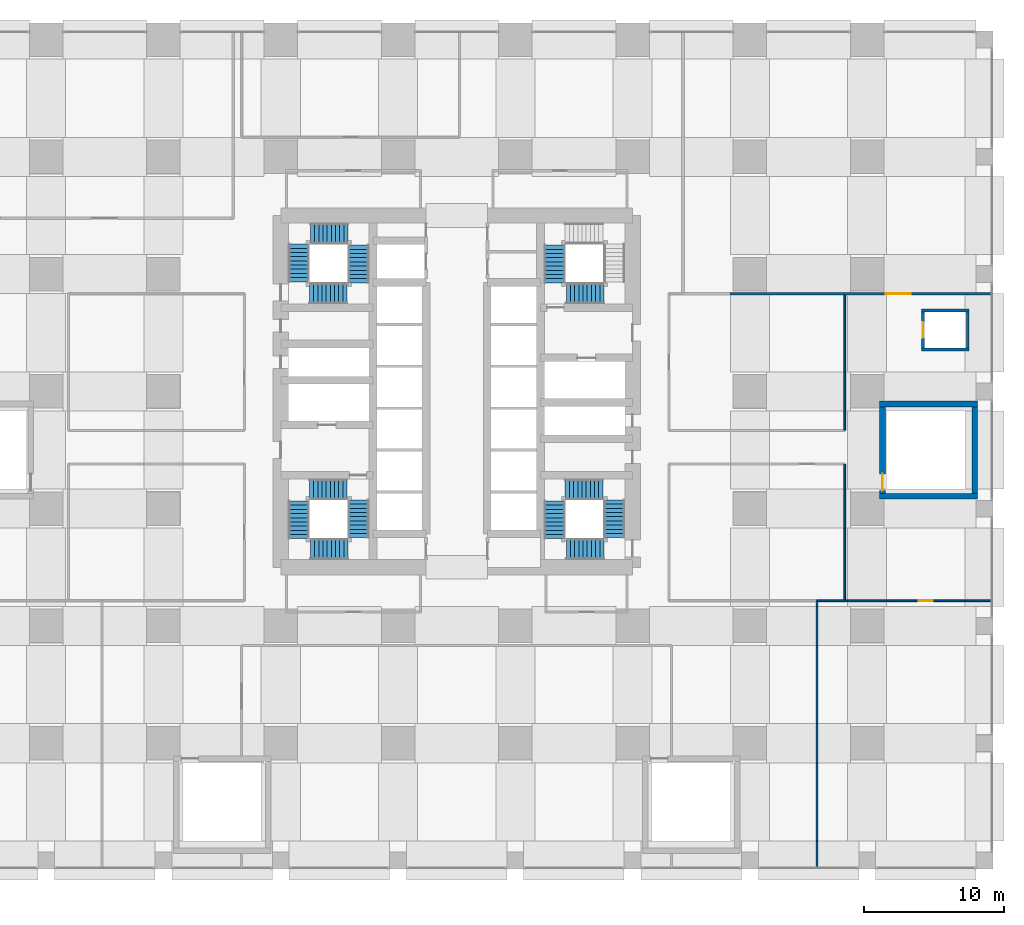
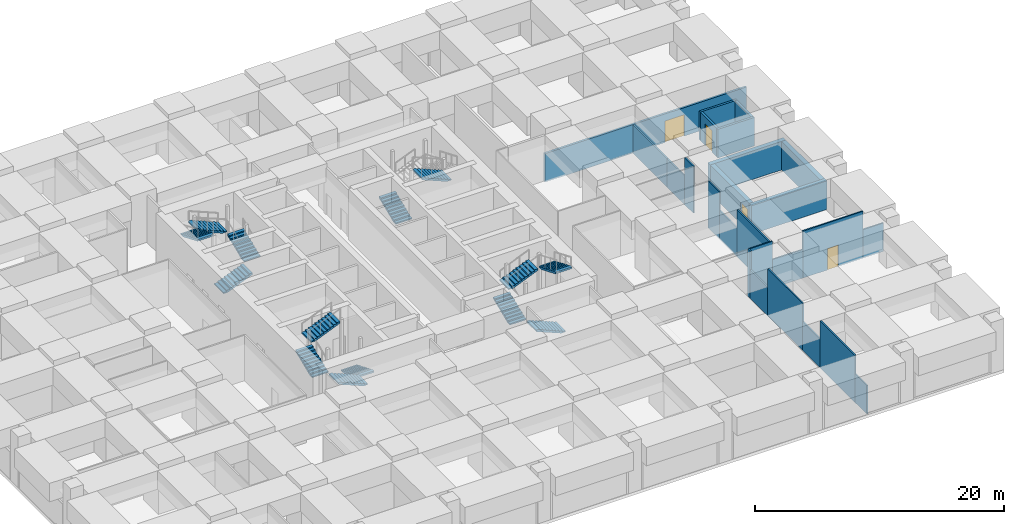
# One storey, part 42 of 52: 25 walls, 14 stair flights, 4 doors, 4 openings, 4 elements without a shape of their own.
"""IFC4 building model written with IfcOpenShell, lengths in metres."""

from ifc_helpers import new_model, si_unit, direction, frame, frame_2d, origin, place, context, subcontext, project, spatial, polyline, rectangle, outline, extrude, material, layer, layer_set, type_object, element, fill, aggregate, save


model = new_model("IFC4")

# Units and contexts
model_context = context("Model", 3, precision=1e-05, world=origin(), true_north=direction((0.0, 1.0)))
body_context = subcontext(model_context, "Body", "Model", "MODEL_VIEW")
ifc_project = project(units=[si_unit("LENGTHUNIT", "METRE"), si_unit("AREAUNIT", "SQUARE_METRE"), si_unit("VOLUMEUNIT", "CUBIC_METRE"), si_unit("PLANEANGLEUNIT", "RADIAN"), si_unit("MASSUNIT", "GRAM", prefix="KILO")], contexts=[model_context])

# Site, building, storey
site_placement = place(None, origin())
site = spatial("IfcSite", under=ifc_project, at=site_placement, CompositionType="ELEMENT")
building_placement = place(site_placement, origin())
building = spatial("IfcBuilding", under=site, at=building_placement, Name="Rekha Terrace Tower", CompositionType="ELEMENT")
storey_placement = place(building_placement, frame((0.0, 0.0, 20.39990234375)))
storey = spatial("IfcBuildingStorey", under=building, at=storey_placement, Name="L04", CompositionType="ELEMENT", Elevation=20.39990234375)

# Wall, opening, door
ifc_material_1 = material(Name="Solid concrete block masonry, 2 hour", Category="masonry")
ifc_layer_1 = layer(ifc_material_1, 0.199951171875)
ifc_layer_set_1 = layer_set([ifc_layer_1], Name="Solid concrete block masonry, 2 hour")
wall_type_1 = type_object("IfcWallType", Name="WP1 200 plant room wall", PredefinedType="PARTITIONING", material=ifc_layer_set_1)
wall_1_placement = place(storey_placement, frame((76.090087890625, 40.60009765625, 0.0), z_axis=(0.0, 0.0, 1.0), x_axis=(-1.0, 0.0, 0.0)))
wall_1 = element("IfcWall", 1, at=wall_1_placement, inside=storey, type_object=wall_type_1, Name="Partition L04-04", PredefinedType="PARTITIONING", context=body_context, shape_type="SweptSolid", body=[
    extrude(rectangle(XDim=18.7001953125, YDim=0.199951171875, at=frame_2d((9.35009765625, 0.0))), origin(), (0.0, 0.0, 1.0), 2.800048828125),
])
opening_1_placement = place(wall_1_placement, frame((5.77001953125, 0.0, 0.0)))
opening_1 = element("IfcOpeningElement", 2, at=opening_1_placement, cuts=wall_1, Name="Opening D8", PredefinedType="OPENING", context=body_context, shape_type="SweptSolid", body=[
    extrude(rectangle(XDim=1.800048828125, YDim=2.10009765625, at=frame_2d((0.89990234375, 1.050048828125))), frame((0.0, 0.10986328125, 0.0), z_axis=(0.0, -1.0, 0.0), x_axis=(1.0, 0.0, 0.0)), (0.0, 0.0, 1.0), 0.219970703125),
])
ifc_material_2 = material(Name="Timber fire door", Category="wood")
door_type_1 = type_object("IfcDoorType", Name="D8 1800x2100 double leaf door", OperationType="DOUBLE_DOOR_SINGLE_SWING", PredefinedType="DOOR", material=ifc_material_2)
door_1_placement = place(opening_1_placement, origin())
door_1 = element("IfcDoor", 3, at=door_1_placement, inside=storey, type_object=door_type_1, Name="Door catering kitchen L04", OperationType="DOUBLE_DOOR_SINGLE_SWING", OverallHeight=2.10009765625, OverallWidth=1.800048828125, PredefinedType="DOOR", context=body_context, shape_type="SweptSolid", body=[
    extrude(rectangle(XDim=1.800048828125, YDim=2.10009765625, at=frame_2d((0.89990234375, 1.050048828125))), frame((0.0, 0.02490234375, 0.0), z_axis=(0.0, -1.0, 0.0), x_axis=(1.0, 0.0, 0.0)), (0.0, 0.0, 1.0), 0.050048828125),
])
fill(opening_1, door_1)

# Walls
ifc_material_3 = material(Name="Two layers of fire-rated gypsum board each side on steel studs, acoustic quilt, 1 hour", Category="steel")
ifc_layer_2 = layer(ifc_material_3, 0.125)
ifc_layer_set_2 = layer_set([ifc_layer_2], Name="Two layers of fire-rated gypsum board each side on steel studs, acoustic quilt, 1 hour")
wall_type_2 = type_object("IfcWallType", Name="WP3 125 office partition", PredefinedType="PARTITIONING", material=ifc_layer_set_2)
wall_2_placement = place(storey_placement, frame((63.60009765625, -0.489990234375, 0.0), z_axis=(0.0, 0.0, 1.0), x_axis=(0.0, 1.0, 0.0)))
element("IfcWall", 4, at=wall_2_placement, inside=storey, type_object=wall_type_2, Name="Partition L04-06", PredefinedType="PARTITIONING", context=body_context, shape_type="SweptSolid", body=[
    extrude(rectangle(XDim=1.89990234375, YDim=0.125, at=frame_2d((0.949951171875, 0.0))), origin(), (0.0, 0.0, 1.0), 2.800048828125),
])
wall_3_placement = place(storey_placement, frame((63.60009765625, 1.409912109375, 0.0), z_axis=(0.0, 0.0, 1.0), x_axis=(0.0, 1.0, 0.0)))
element("IfcWall", 5, at=wall_3_placement, inside=storey, type_object=wall_type_2, Name="Partition L04-06", PredefinedType="PARTITIONING", context=body_context, shape_type="SweptSolid", body=[
    extrude(rectangle(XDim=5.580078125, YDim=0.125, at=frame_2d((2.7900390625, 0.0))), origin(), (0.0, 0.0, 1.0), 4.60009765625),
])
wall_4_placement = place(storey_placement, frame((63.60009765625, 6.989990234375, 0.0), z_axis=(0.0, 0.0, 1.0), x_axis=(0.0, 1.0, 0.0)))
element("IfcWall", 6, at=wall_4_placement, inside=storey, type_object=wall_type_2, Name="Partition L04-06", PredefinedType="PARTITIONING", context=body_context, shape_type="SweptSolid", body=[
    extrude(rectangle(XDim=2.820068359375, YDim=0.125, at=frame_2d((1.41015625, 0.0))), origin(), (0.0, 0.0, 1.0), 2.800048828125),
])
wall_5_placement = place(storey_placement, frame((63.60009765625, 9.81005859375, 0.0), z_axis=(0.0, 0.0, 1.0), x_axis=(0.0, 1.0, 0.0)))
element("IfcWall", 7, at=wall_5_placement, inside=storey, type_object=wall_type_2, Name="Partition L04-06", PredefinedType="PARTITIONING", context=body_context, shape_type="SweptSolid", body=[
    extrude(rectangle(XDim=5.579833984375, YDim=0.125, at=frame_2d((2.7900390625, 0.0))), origin(), (0.0, 0.0, 1.0), 4.60009765625),
])
wall_6_placement = place(storey_placement, frame((63.60009765625, 15.389892578125, 0.0), z_axis=(0.0, 0.0, 1.0), x_axis=(0.0, 1.0, 0.0)))
element("IfcWall", 8, at=wall_6_placement, inside=storey, type_object=wall_type_2, Name="Partition L04-06", PredefinedType="PARTITIONING", context=body_context, shape_type="SweptSolid", body=[
    extrude(rectangle(XDim=2.820068359375, YDim=0.125, at=frame_2d((1.41015625, 0.0))), origin(), (0.0, 0.0, 1.0), 2.800048828125),
])
wall_7_placement = place(storey_placement, frame((63.60009765625, 18.2099609375, 0.0), z_axis=(0.0, 0.0, 1.0), x_axis=(0.0, 1.0, 0.0)))
element("IfcWall", 9, at=wall_7_placement, inside=storey, type_object=wall_type_2, Name="Partition L04-06", PredefinedType="PARTITIONING", context=body_context, shape_type="SweptSolid", body=[
    extrude(rectangle(XDim=0.39013671875, YDim=0.125, at=frame_2d((0.195068359375, 0.0))), origin(), (0.0, 0.0, 1.0), 4.60009765625),
])
wall_8_placement = place(storey_placement, frame((63.60009765625, 18.60009765625, 0.0), z_axis=(0.0, 0.0, 1.0), x_axis=(1.0, 0.0, 0.0)))
element("IfcWall", 10, at=wall_8_placement, inside=storey, type_object=wall_type_2, Name="Partition L04-06", PredefinedType="PARTITIONING", context=body_context, shape_type="SweptSolid", body=[
    extrude(rectangle(XDim=2.18994140625, YDim=0.125, at=frame_2d((1.094970703125, 0.0))), origin(), (0.0, 0.0, 1.0), 4.60009765625),
])
wall_9_placement = place(storey_placement, frame((65.7900390625, 18.60009765625, 0.0), z_axis=(0.0, 0.0, 1.0), x_axis=(1.0, 0.0, 0.0)))
element("IfcWall", 11, at=wall_9_placement, inside=storey, type_object=wall_type_2, Name="Partition L04-06", PredefinedType="PARTITIONING", context=body_context, shape_type="SweptSolid", body=[
    extrude(rectangle(XDim=2.820068359375, YDim=0.125, at=frame_2d((1.41015625, 0.0))), origin(), (0.0, 0.0, 1.0), 2.800048828125),
])

# Wall, opening, door
wall_10_placement = place(storey_placement, frame((68.610107421875, 18.60009765625, 0.0), z_axis=(0.0, 0.0, 1.0), x_axis=(1.0, 0.0, 0.0)))
wall_10 = element("IfcWall", 12, at=wall_10_placement, inside=storey, type_object=wall_type_2, Name="Partition L04-06", PredefinedType="PARTITIONING", context=body_context, shape_type="SweptSolid", body=[
    extrude(rectangle(XDim=5.579833984375, YDim=0.125, at=frame_2d((2.7900390625, 0.0))), origin(), (0.0, 0.0, 1.0), 4.60009765625),
])
opening_2_placement = place(wall_10_placement, frame((2.2900390625, 0.0, 0.0)))
opening_2 = element("IfcOpeningElement", 13, at=opening_2_placement, cuts=wall_10, Name="Opening D9", PredefinedType="OPENING", context=body_context, shape_type="SweptSolid", body=[
    extrude(rectangle(XDim=1.0, YDim=2.10009765625, at=frame_2d((0.5, 1.050048828125))), frame((0.0, 0.072509765625, 0.0), z_axis=(0.0, -1.0, 0.0), x_axis=(1.0, 0.0, 0.0)), (0.0, 0.0, 1.0), 0.14501953125),
])
door_type_2 = type_object("IfcDoorType", Name="D9 1000x2100 office door", OperationType="SINGLE_SWING_LEFT", PredefinedType="DOOR", material=ifc_material_2)
door_2_placement = place(opening_2_placement, origin())
door_2 = element("IfcDoor", 14, at=door_2_placement, inside=storey, type_object=door_type_2, Name="Door business centre office L04", OperationType="SINGLE_SWING_LEFT", OverallHeight=2.10009765625, OverallWidth=1.0, PredefinedType="DOOR", context=body_context, shape_type="SweptSolid", body=[
    extrude(rectangle(XDim=1.0, YDim=2.10009765625, at=frame_2d((0.5, 1.050048828125))), frame((0.0, 0.02490234375, 0.0), z_axis=(0.0, -1.0, 0.0), x_axis=(1.0, 0.0, 0.0)), (0.0, 0.0, 1.0), 0.050048828125),
])
fill(opening_2, door_2)

# Walls
wall_11_placement = place(storey_placement, frame((74.18994140625, 18.60009765625, 0.0), z_axis=(0.0, 0.0, 1.0), x_axis=(1.0, 0.0, 0.0)))
element("IfcWall", 15, at=wall_11_placement, inside=storey, type_object=wall_type_2, Name="Partition L04-06", PredefinedType="PARTITIONING", context=body_context, shape_type="SweptSolid", body=[
    extrude(rectangle(XDim=1.900146484375, YDim=0.125, at=frame_2d((0.9501953125, 0.0))), origin(), (0.0, 0.0, 1.0), 2.800048828125),
])
wall_12_placement = place(storey_placement, frame((65.60009765625, 28.39990234375, 0.0), z_axis=(0.0, 0.0, 1.0), x_axis=(0.0, -1.0, 0.0)))
element("IfcWall", 16, at=wall_12_placement, inside=storey, type_object=wall_type_2, Name="Partition L04-09", PredefinedType="PARTITIONING", context=body_context, shape_type="SweptSolid", body=[
    extrude(rectangle(XDim=1.789794921875, YDim=0.125, at=frame_2d((0.89501953125, 0.0))), origin(), (0.0, 0.0, 1.0), 4.60009765625),
])
wall_13_placement = place(storey_placement, frame((65.60009765625, 26.610107421875, 0.0), z_axis=(0.0, 0.0, 1.0), x_axis=(0.0, -1.0, 0.0)))
element("IfcWall", 17, at=wall_13_placement, inside=storey, type_object=wall_type_2, Name="Partition L04-09", PredefinedType="PARTITIONING", context=body_context, shape_type="SweptSolid", body=[
    extrude(rectangle(XDim=2.820068359375, YDim=0.125, at=frame_2d((1.41015625, 0.0))), origin(), (0.0, 0.0, 1.0), 2.800048828125),
])
wall_14_placement = place(storey_placement, frame((65.60009765625, 23.7900390625, 0.0), z_axis=(0.0, 0.0, 1.0), x_axis=(0.0, -1.0, 0.0)))
element("IfcWall", 18, at=wall_14_placement, inside=storey, type_object=wall_type_2, Name="Partition L04-09", PredefinedType="PARTITIONING", context=body_context, shape_type="SweptSolid", body=[
    extrude(rectangle(XDim=5.126953125, YDim=0.125, at=frame_2d((2.5634765625, 0.0))), origin(), (0.0, 0.0, 1.0), 4.60009765625),
])
wall_15_placement = place(storey_placement, frame((65.60009765625, 40.5, 0.0), z_axis=(0.0, 0.0, 1.0), x_axis=(0.0, -1.0, 0.0)))
element("IfcWall", 19, at=wall_15_placement, inside=storey, type_object=wall_type_2, Name="Partition L04-10", PredefinedType="PARTITIONING", context=body_context, shape_type="SweptSolid", body=[
    extrude(rectangle(XDim=5.489990234375, YDim=0.125, at=frame_2d((2.7451171875, 0.0))), origin(), (0.0, 0.0, 1.0), 2.800048828125),
])
wall_16_placement = place(storey_placement, frame((65.60009765625, 35.010009765625, 0.0), z_axis=(0.0, 0.0, 1.0), x_axis=(0.0, -1.0, 0.0)))
element("IfcWall", 20, at=wall_16_placement, inside=storey, type_object=wall_type_2, Name="Partition L04-10", PredefinedType="PARTITIONING", context=body_context, shape_type="SweptSolid", body=[
    extrude(rectangle(XDim=2.820068359375, YDim=0.125, at=frame_2d((1.41015625, 0.0))), origin(), (0.0, 0.0, 1.0), 2.800048828125),
])
wall_17_placement = place(storey_placement, frame((65.60009765625, 32.18994140625, 0.0), z_axis=(0.0, 0.0, 1.0), x_axis=(0.0, -1.0, 0.0)))
element("IfcWall", 21, at=wall_17_placement, inside=storey, type_object=wall_type_2, Name="Partition L04-10", PredefinedType="PARTITIONING", context=body_context, shape_type="SweptSolid", body=[
    extrude(rectangle(XDim=1.389892578125, YDim=0.125, at=frame_2d((0.69482421875, 0.0))), origin(), (0.0, 0.0, 1.0), 4.60009765625),
])
ifc_layer_3 = layer(ifc_material_1, 0.199951171875)
ifc_layer_set_3 = layer_set([ifc_layer_3], Name="Solid concrete block masonry, 2 hour")
wall_type_3 = type_object("IfcWallType", Name="WS1 200 stair and shaft enclosure", PredefinedType="PARTITIONING", material=ifc_layer_set_3)
for number, where, z_axis, x_axis, name in (
    (22, (71.10009765625, 36.60009765625, 0.0), (0.0, 0.0, 1.0), (1.0, 0.0, 0.0), "Lift PL2 shaft south wall"),
    (23, (71.10009765625, 39.39990234375, 0.0), (0.0, 0.0, 1.0), (1.0, 0.0, 0.0), "Lift PL2 shaft north wall"),
):
    element("IfcWall", number, at=place(storey_placement, frame(where, z_axis=z_axis, x_axis=x_axis)), inside=storey, type_object=wall_type_3, Name=name, PredefinedType="PARTITIONING", context=body_context, shape_type="SweptSolid", body=[
        extrude(rectangle(XDim=3.39990234375, YDim=0.199951171875, at=frame_2d((1.699951171875, 0.0))), origin(), (0.0, 0.0, 1.0), 2.800048828125),
    ])

# Wall, opening, door
wall_18_placement = place(storey_placement, frame((71.199951171875, 36.699951171875, 0.0), z_axis=(0.0, 0.0, 1.0), x_axis=(0.0, 1.0, 0.0)))
wall_18 = element("IfcWall", 24, at=wall_18_placement, inside=storey, type_object=wall_type_3, Name="Lift PL2 shaft west wall", PredefinedType="PARTITIONING", context=body_context, shape_type="SweptSolid", body=[
    extrude(rectangle(XDim=2.60009765625, YDim=0.199951171875, at=frame_2d((1.300048828125, 0.0))), origin(), (0.0, 0.0, 1.0), 2.800048828125),
])
opening_3_placement = place(wall_18_placement, frame((0.75, 0.0, 0.0)))
opening_3 = element("IfcOpeningElement", 25, at=opening_3_placement, cuts=wall_18, Name="Opening LD1", PredefinedType="OPENING", context=body_context, shape_type="SweptSolid", body=[
    extrude(rectangle(XDim=1.10009765625, YDim=2.10009765625, at=frame_2d((0.550048828125, 1.050048828125))), frame((0.0, 0.10986328125, 0.0), z_axis=(0.0, -1.0, 0.0), x_axis=(1.0, 0.0, 0.0)), (0.0, 0.0, 1.0), 0.219970703125),
])
ifc_material_4 = material(Name="Stainless steel sliding landing door", Category="steel")
door_type_3 = type_object("IfcDoorType", Name="LD1 1100x2100 lift landing door", OperationType="SLIDING_TO_LEFT", PredefinedType="USERDEFINED", material=ifc_material_4)
door_3_placement = place(opening_3_placement, origin())
door_3 = element("IfcDoor", 26, at=door_3_placement, inside=storey, type_object=door_type_3, Name="Lift PL2 landing door L04", ObjectType="LIFT LANDING DOOR", OperationType="SLIDING_TO_LEFT", OverallHeight=2.10009765625, OverallWidth=1.10009765625, PredefinedType="USERDEFINED", context=body_context, shape_type="SweptSolid", body=[
    extrude(rectangle(XDim=1.10009765625, YDim=2.10009765625, at=frame_2d((0.550048828125, 1.050048828125))), frame((0.0, 0.02490234375, 0.0), z_axis=(0.0, -1.0, 0.0), x_axis=(1.0, 0.0, 0.0)), (0.0, 0.0, 1.0), 0.050048828125),
])
fill(opening_3, door_3)

# Walls
wall_19_placement = place(storey_placement, frame((74.39990234375, 36.699951171875, 0.0), z_axis=(0.0, 0.0, 1.0), x_axis=(0.0, 1.0, 0.0)))
element("IfcWall", 27, at=wall_19_placement, inside=storey, type_object=wall_type_3, Name="Lift PL2 shaft east wall", PredefinedType="PARTITIONING", context=body_context, shape_type="SweptSolid", body=[
    extrude(rectangle(XDim=2.60009765625, YDim=0.199951171875, at=frame_2d((1.300048828125, 0.0))), origin(), (0.0, 0.0, 1.0), 2.800048828125),
])
ifc_material_5 = material(Name="Concrete M60", Category="concrete")
ifc_layer_4 = layer(ifc_material_5, 0.39990234375)
ifc_layer_set_4 = layer_set([ifc_layer_4], Name="Concrete M60")
wall_type_4 = type_object("IfcWallType", Name="WS3 400 RC podium stair wall", PredefinedType="SOLIDWALL", material=ifc_layer_set_4)
for number, where, z_axis, x_axis, name in (
    (28, (68.10009765625, 26.10009765625, 0.0), (0.0, 0.0, 1.0), (1.0, 0.0, 0.0), "Stair SP2 south wall"),
    (29, (68.10009765625, 32.699951171875, 0.0), (0.0, 0.0, 1.0), (1.0, 0.0, 0.0), "Stair SP2 north wall"),
):
    element("IfcWall", number, at=place(storey_placement, frame(where, z_axis=z_axis, x_axis=x_axis)), inside=storey, type_object=wall_type_4, Name=name, PredefinedType="SOLIDWALL", context=body_context, shape_type="SweptSolid", body=[
        extrude(rectangle(XDim=7.0, YDim=0.39990234375, at=frame_2d((3.5, 0.0))), origin(), (0.0, 0.0, 1.0), 2.800048828125),
    ])

# Wall, opening, door
wall_20_placement = place(storey_placement, frame((68.300048828125, 26.300048828125, 0.0), z_axis=(0.0, 0.0, 1.0), x_axis=(0.0, 1.0, 0.0)))
wall_20 = element("IfcWall", 30, at=wall_20_placement, inside=storey, type_object=wall_type_4, Name="Stair SP2 west wall", PredefinedType="SOLIDWALL", context=body_context, shape_type="SweptSolid", body=[
    extrude(rectangle(XDim=6.199951171875, YDim=0.39990234375, at=frame_2d((3.10009765625, 0.0))), origin(), (0.0, 0.0, 1.0), 2.800048828125),
])
opening_4_placement = place(wall_20_placement, frame((0.199951171875, 0.0, 0.0)))
opening_4 = element("IfcOpeningElement", 31, at=opening_4_placement, cuts=wall_20, Name="Opening D1", PredefinedType="OPENING", context=body_context, shape_type="SweptSolid", body=[
    extrude(rectangle(XDim=1.199951171875, YDim=2.10009765625, at=frame_2d((0.60009765625, 1.050048828125))), frame((0.0, 0.2099609375, 0.0), z_axis=(0.0, -1.0, 0.0), x_axis=(1.0, 0.0, 0.0)), (0.0, 0.0, 1.0), 0.419921875),
])
ifc_material_6 = material(Name="Steel fire door", Category="steel")
door_type_4 = type_object("IfcDoorType", Name="D1 1200x2100 stair fire door", OperationType="SINGLE_SWING_RIGHT", PredefinedType="DOOR", material=ifc_material_6)
door_4_placement = place(opening_4_placement, origin())
door_4 = element("IfcDoor", 32, at=door_4_placement, inside=storey, type_object=door_type_4, Name="Stair SP2 door L04", OperationType="SINGLE_SWING_RIGHT", OverallHeight=2.10009765625, OverallWidth=1.199951171875, PredefinedType="DOOR", context=body_context, shape_type="SweptSolid", body=[
    extrude(rectangle(XDim=1.199951171875, YDim=2.10009765625, at=frame_2d((0.60009765625, 1.050048828125))), frame((0.0, 0.02490234375, 0.0), z_axis=(0.0, -1.0, 0.0), x_axis=(1.0, 0.0, 0.0)), (0.0, 0.0, 1.0), 0.050048828125),
])
fill(opening_4, door_4)

# Wall
wall_21_placement = place(storey_placement, frame((74.89990234375, 26.300048828125, 0.0), z_axis=(0.0, 0.0, 1.0), x_axis=(0.0, 1.0, 0.0)))
element("IfcWall", 33, at=wall_21_placement, inside=storey, type_object=wall_type_4, Name="Stair SP2 east wall", PredefinedType="SOLIDWALL", context=body_context, shape_type="SweptSolid", body=[
    extrude(rectangle(XDim=6.199951171875, YDim=0.39990234375, at=frame_2d((3.10009765625, 0.0))), origin(), (0.0, 0.0, 1.0), 2.800048828125),
])

# Stair, stair flights
ifc_material_7 = material(Name="Concrete M40", Category="concrete")
stair_type = type_object("IfcStairType", Name="ST40 stair, 40 risers of 125, going 300, 1500 wide flights, 4 flights", PredefinedType="QUARTER_TURN_STAIR", material=ifc_material_7)
stair_1_placement = place(storey_placement, origin())
stair_1 = element("IfcStair", 34, at=stair_1_placement, inside=storey, type_object=stair_type, Name="Stair ST1 L04 to L05", PredefinedType="QUARTER_TURN_STAIR")
stair_flight_type = type_object("IfcStairFlightType", Name="SF10 stair flight, 10 risers of 125, going 300, 1500 wide", PredefinedType="STRAIGHT", material=ifc_material_7)
stair_flight_1_placement = place(storey_placement, frame((30.77490234375, 25.824951171875, 0.0), z_axis=(0.0, 0.0, 1.0), x_axis=(0.0, -1.0, 0.0)))
stair_flight_1 = element("IfcStairFlight", 35, at=stair_flight_1_placement, type_object=stair_flight_type, Name="ST1 flight 1", NumberOfRisers=10, NumberOfTreads=9, PredefinedType="STRAIGHT", RiserHeight=0.125, TreadLength=0.3, context=body_context, shape_type="SweptSolid", body=[
    extrude(outline(polyline([(0.0, 0.0), (0.0, 0.125), (0.300048828125, 0.125), (0.300048828125, 0.25), (0.60009765625, 0.25), (0.60009765625, 0.375), (0.89990234375, 0.375), (0.89990234375, 0.5), (1.199951171875, 0.5), (1.199951171875, 0.625), (1.5, 0.625), (1.5, 0.75), (1.800048828125, 0.75), (1.800048828125, 0.875), (2.10009765625, 0.875), (2.10009765625, 1.0), (2.39990234375, 1.0), (2.39990234375, 1.125), (2.699951171875, 1.125), (2.699951171875, 1.25), (2.699951171875, 0.962646484375), (0.3896484375, 0.0), (0.0, 0.0)])), frame((0.0, 0.75, 0.0), z_axis=(0.0, -1.0, 0.0), x_axis=(1.0, 0.0, 0.0)), (0.0, 0.0, 1.0), 1.5),
])
stair_flight_2_placement = place(storey_placement, frame((30.02490234375, 22.300048828125, 1.25), z_axis=(0.0, 0.0, 1.0), x_axis=(-1.0, 0.0, 0.0)))
stair_flight_2 = element("IfcStairFlight", 36, at=stair_flight_2_placement, type_object=stair_flight_type, Name="ST1 flight 2", NumberOfRisers=10, NumberOfTreads=9, PredefinedType="STRAIGHT", RiserHeight=0.125, TreadLength=0.3, context=body_context, shape_type="SweptSolid", body=[
    extrude(outline(polyline([(0.0, 0.0), (0.0, 0.125), (0.300048828125, 0.125), (0.300048828125, 0.25), (0.60009765625, 0.25), (0.60009765625, 0.375), (0.89990234375, 0.375), (0.89990234375, 0.5), (1.199951171875, 0.5), (1.199951171875, 0.625), (1.5, 0.625), (1.5, 0.75), (1.800048828125, 0.75), (1.800048828125, 0.875), (2.10009765625, 0.875), (2.10009765625, 1.0), (2.39990234375, 1.0), (2.39990234375, 1.125), (2.699951171875, 1.125), (2.699951171875, 1.25), (2.699951171875, 0.962646484375), (0.3896484375, 0.0), (0.0, 0.0)])), frame((0.0, 0.75, 0.0), z_axis=(0.0, -1.0, 0.0), x_axis=(1.0, 0.0, 0.0)), (0.0, 0.0, 1.0), 1.5),
])
stair_flight_3_placement = place(storey_placement, frame((26.5, 23.050048828125, 2.5), z_axis=(0.0, 0.0, 1.0), x_axis=(0.0, 1.0, 0.0)))
stair_flight_3 = element("IfcStairFlight", 37, at=stair_flight_3_placement, type_object=stair_flight_type, Name="ST1 flight 3", NumberOfRisers=10, NumberOfTreads=9, PredefinedType="STRAIGHT", RiserHeight=0.125, TreadLength=0.3, context=body_context, shape_type="SweptSolid", body=[
    extrude(outline(polyline([(0.0, 0.0), (0.0, 0.125), (0.300048828125, 0.125), (0.300048828125, 0.25), (0.60009765625, 0.25), (0.60009765625, 0.375), (0.89990234375, 0.375), (0.89990234375, 0.5), (1.199951171875, 0.5), (1.199951171875, 0.625), (1.5, 0.625), (1.5, 0.75), (1.800048828125, 0.75), (1.800048828125, 0.875), (2.10009765625, 0.875), (2.10009765625, 1.0), (2.39990234375, 1.0), (2.39990234375, 1.125), (2.699951171875, 1.125), (2.699951171875, 1.25), (2.699951171875, 0.962646484375), (0.3896484375, 0.0), (0.0, 0.0)])), frame((0.0, 0.75, 0.0), z_axis=(0.0, -1.0, 0.0), x_axis=(1.0, 0.0, 0.0)), (0.0, 0.0, 1.0), 1.5),
])
stair_flight_4_placement = place(storey_placement, frame((27.25, 26.574951171875, 3.75), z_axis=(0.0, 0.0, 1.0), x_axis=(1.0, 0.0, 0.0)))
stair_flight_4 = element("IfcStairFlight", 38, at=stair_flight_4_placement, type_object=stair_flight_type, Name="ST1 flight 4", NumberOfRisers=10, NumberOfTreads=9, PredefinedType="STRAIGHT", RiserHeight=0.125, TreadLength=0.3, context=body_context, shape_type="SweptSolid", body=[
    extrude(outline(polyline([(0.0, 0.0), (0.0, 0.125), (0.300048828125, 0.125), (0.300048828125, 0.25), (0.60009765625, 0.25), (0.60009765625, 0.375), (0.89990234375, 0.375), (0.89990234375, 0.5), (1.199951171875, 0.5), (1.199951171875, 0.625), (1.5, 0.625), (1.5, 0.75), (1.800048828125, 0.75), (1.800048828125, 0.875), (2.10009765625, 0.875), (2.10009765625, 1.0), (2.39990234375, 1.0), (2.39990234375, 1.125), (2.699951171875, 1.125), (2.699951171875, 1.25), (2.699951171875, 0.962646484375), (0.3896484375, 0.0), (0.0, 0.0)])), frame((0.0, 0.75, 0.0), z_axis=(0.0, -1.0, 0.0), x_axis=(1.0, 0.0, 0.0)), (0.0, 0.0, 1.0), 1.5),
])
aggregate(stair_1, [stair_flight_1, stair_flight_2, stair_flight_3, stair_flight_4])

stair_2_placement = place(storey_placement, origin())
stair_2 = element("IfcStair", 39, at=stair_2_placement, inside=storey, type_object=stair_type, Name="Stair ST2 L04 to L05", PredefinedType="QUARTER_TURN_STAIR")
stair_flight_5_placement = place(storey_placement, frame((44.824951171875, 41.375, 0.0), z_axis=(0.0, 0.0, 1.0), x_axis=(0.0, 1.0, 0.0)))
stair_flight_5 = element("IfcStairFlight", 40, at=stair_flight_5_placement, type_object=stair_flight_type, Name="ST2 flight 1", NumberOfRisers=10, NumberOfTreads=9, PredefinedType="STRAIGHT", RiserHeight=0.125, TreadLength=0.3, context=body_context, shape_type="SweptSolid", body=[
    extrude(outline(polyline([(0.0, 0.0), (0.0, 0.125), (0.300048828125, 0.125), (0.300048828125, 0.25), (0.60009765625, 0.25), (0.60009765625, 0.375), (0.89990234375, 0.375), (0.89990234375, 0.5), (1.199951171875, 0.5), (1.199951171875, 0.625), (1.5, 0.625), (1.5, 0.75), (1.800048828125, 0.75), (1.800048828125, 0.875), (2.10009765625, 0.875), (2.10009765625, 1.0), (2.39990234375, 1.0), (2.39990234375, 1.125), (2.699951171875, 1.125), (2.699951171875, 1.25), (2.699951171875, 0.962646484375), (0.3896484375, 0.0), (0.0, 0.0)])), frame((0.0, 0.75, 0.0), z_axis=(0.0, -1.0, 0.0), x_axis=(1.0, 0.0, 0.0)), (0.0, 0.0, 1.0), 1.5),
])
stair_flight_6_placement = place(storey_placement, frame((48.35009765625, 40.625, 3.75), z_axis=(0.0, 0.0, 1.0), x_axis=(-1.0, 0.0, 0.0)))
stair_flight_6 = element("IfcStairFlight", 41, at=stair_flight_6_placement, type_object=stair_flight_type, Name="ST2 flight 4", NumberOfRisers=10, NumberOfTreads=9, PredefinedType="STRAIGHT", RiserHeight=0.125, TreadLength=0.3, context=body_context, shape_type="SweptSolid", body=[
    extrude(outline(polyline([(0.0, 0.0), (0.0, 0.125), (0.300048828125, 0.125), (0.300048828125, 0.25), (0.60009765625, 0.25), (0.60009765625, 0.375), (0.89990234375, 0.375), (0.89990234375, 0.5), (1.199951171875, 0.5), (1.199951171875, 0.625), (1.5, 0.625), (1.5, 0.75), (1.800048828125, 0.75), (1.800048828125, 0.875), (2.10009765625, 0.875), (2.10009765625, 1.0), (2.39990234375, 1.0), (2.39990234375, 1.125), (2.699951171875, 1.125), (2.699951171875, 1.25), (2.699951171875, 0.962646484375), (0.3896484375, 0.0), (0.0, 0.0)])), frame((0.0, 0.75, 0.0), z_axis=(0.0, -1.0, 0.0), x_axis=(1.0, 0.0, 0.0)), (0.0, 0.0, 1.0), 1.5),
])
aggregate(stair_2, [stair_flight_5, stair_flight_6])

stair_3_placement = place(storey_placement, origin())
stair_3 = element("IfcStair", 42, at=stair_3_placement, inside=storey, type_object=stair_type, Name="Stair ST3 L04 to L05", PredefinedType="QUARTER_TURN_STAIR")
stair_flight_7_placement = place(storey_placement, frame((48.35009765625, 22.300048828125, 0.0), z_axis=(0.0, 0.0, 1.0), x_axis=(-1.0, 0.0, 0.0)))
stair_flight_7 = element("IfcStairFlight", 43, at=stair_flight_7_placement, type_object=stair_flight_type, Name="ST3 flight 1", NumberOfRisers=10, NumberOfTreads=9, PredefinedType="STRAIGHT", RiserHeight=0.125, TreadLength=0.3, context=body_context, shape_type="SweptSolid", body=[
    extrude(outline(polyline([(0.0, 0.0), (0.0, 0.125), (0.300048828125, 0.125), (0.300048828125, 0.25), (0.60009765625, 0.25), (0.60009765625, 0.375), (0.89990234375, 0.375), (0.89990234375, 0.5), (1.199951171875, 0.5), (1.199951171875, 0.625), (1.5, 0.625), (1.5, 0.75), (1.800048828125, 0.75), (1.800048828125, 0.875), (2.10009765625, 0.875), (2.10009765625, 1.0), (2.39990234375, 1.0), (2.39990234375, 1.125), (2.699951171875, 1.125), (2.699951171875, 1.25), (2.699951171875, 0.962646484375), (0.3896484375, 0.0), (0.0, 0.0)])), frame((0.0, 0.75, 0.0), z_axis=(0.0, -1.0, 0.0), x_axis=(1.0, 0.0, 0.0)), (0.0, 0.0, 1.0), 1.5),
])
stair_flight_8_placement = place(storey_placement, frame((44.824951171875, 23.050048828125, 1.25), z_axis=(0.0, 0.0, 1.0), x_axis=(0.0, 1.0, 0.0)))
stair_flight_8 = element("IfcStairFlight", 44, at=stair_flight_8_placement, type_object=stair_flight_type, Name="ST3 flight 2", NumberOfRisers=10, NumberOfTreads=9, PredefinedType="STRAIGHT", RiserHeight=0.125, TreadLength=0.3, context=body_context, shape_type="SweptSolid", body=[
    extrude(outline(polyline([(0.0, 0.0), (0.0, 0.125), (0.300048828125, 0.125), (0.300048828125, 0.25), (0.60009765625, 0.25), (0.60009765625, 0.375), (0.89990234375, 0.375), (0.89990234375, 0.5), (1.199951171875, 0.5), (1.199951171875, 0.625), (1.5, 0.625), (1.5, 0.75), (1.800048828125, 0.75), (1.800048828125, 0.875), (2.10009765625, 0.875), (2.10009765625, 1.0), (2.39990234375, 1.0), (2.39990234375, 1.125), (2.699951171875, 1.125), (2.699951171875, 1.25), (2.699951171875, 0.962646484375), (0.3896484375, 0.0), (0.0, 0.0)])), frame((0.0, 0.75, 0.0), z_axis=(0.0, -1.0, 0.0), x_axis=(1.0, 0.0, 0.0)), (0.0, 0.0, 1.0), 1.5),
])
stair_flight_9_placement = place(storey_placement, frame((45.574951171875, 26.574951171875, 2.5), z_axis=(0.0, 0.0, 1.0), x_axis=(1.0, 0.0, 0.0)))
stair_flight_9 = element("IfcStairFlight", 45, at=stair_flight_9_placement, type_object=stair_flight_type, Name="ST3 flight 3", NumberOfRisers=10, NumberOfTreads=9, PredefinedType="STRAIGHT", RiserHeight=0.125, TreadLength=0.3, context=body_context, shape_type="SweptSolid", body=[
    extrude(outline(polyline([(0.0, 0.0), (0.0, 0.125), (0.300048828125, 0.125), (0.300048828125, 0.25), (0.60009765625, 0.25), (0.60009765625, 0.375), (0.89990234375, 0.375), (0.89990234375, 0.5), (1.199951171875, 0.5), (1.199951171875, 0.625), (1.5, 0.625), (1.5, 0.75), (1.800048828125, 0.75), (1.800048828125, 0.875), (2.10009765625, 0.875), (2.10009765625, 1.0), (2.39990234375, 1.0), (2.39990234375, 1.125), (2.699951171875, 1.125), (2.699951171875, 1.25), (2.699951171875, 0.962646484375), (0.3896484375, 0.0), (0.0, 0.0)])), frame((0.0, 0.75, 0.0), z_axis=(0.0, -1.0, 0.0), x_axis=(1.0, 0.0, 0.0)), (0.0, 0.0, 1.0), 1.5),
])
stair_flight_10_placement = place(storey_placement, frame((49.10009765625, 25.824951171875, 3.75), z_axis=(0.0, 0.0, 1.0), x_axis=(0.0, -1.0, 0.0)))
stair_flight_10 = element("IfcStairFlight", 46, at=stair_flight_10_placement, type_object=stair_flight_type, Name="ST3 flight 4", NumberOfRisers=10, NumberOfTreads=9, PredefinedType="STRAIGHT", RiserHeight=0.125, TreadLength=0.3, context=body_context, shape_type="SweptSolid", body=[
    extrude(outline(polyline([(0.0, 0.0), (0.0, 0.125), (0.300048828125, 0.125), (0.300048828125, 0.25), (0.60009765625, 0.25), (0.60009765625, 0.375), (0.89990234375, 0.375), (0.89990234375, 0.5), (1.199951171875, 0.5), (1.199951171875, 0.625), (1.5, 0.625), (1.5, 0.75), (1.800048828125, 0.75), (1.800048828125, 0.875), (2.10009765625, 0.875), (2.10009765625, 1.0), (2.39990234375, 1.0), (2.39990234375, 1.125), (2.699951171875, 1.125), (2.699951171875, 1.25), (2.699951171875, 0.962646484375), (0.3896484375, 0.0), (0.0, 0.0)])), frame((0.0, 0.75, 0.0), z_axis=(0.0, -1.0, 0.0), x_axis=(1.0, 0.0, 0.0)), (0.0, 0.0, 1.0), 1.5),
])
aggregate(stair_3, [stair_flight_7, stair_flight_8, stair_flight_9, stair_flight_10])

stair_4_placement = place(storey_placement, origin())
stair_4 = element("IfcStair", 47, at=stair_4_placement, inside=storey, type_object=stair_type, Name="Stair ST4 L04 to L05", PredefinedType="QUARTER_TURN_STAIR")
stair_flight_11_placement = place(storey_placement, frame((27.25, 40.625, 0.0), z_axis=(0.0, 0.0, 1.0), x_axis=(1.0, 0.0, 0.0)))
stair_flight_11 = element("IfcStairFlight", 48, at=stair_flight_11_placement, type_object=stair_flight_type, Name="ST4 flight 1", NumberOfRisers=10, NumberOfTreads=9, PredefinedType="STRAIGHT", RiserHeight=0.125, TreadLength=0.3, context=body_context, shape_type="SweptSolid", body=[
    extrude(outline(polyline([(0.0, 0.0), (0.0, 0.125), (0.300048828125, 0.125), (0.300048828125, 0.25), (0.60009765625, 0.25), (0.60009765625, 0.375), (0.89990234375, 0.375), (0.89990234375, 0.5), (1.199951171875, 0.5), (1.199951171875, 0.625), (1.5, 0.625), (1.5, 0.75), (1.800048828125, 0.75), (1.800048828125, 0.875), (2.10009765625, 0.875), (2.10009765625, 1.0), (2.39990234375, 1.0), (2.39990234375, 1.125), (2.699951171875, 1.125), (2.699951171875, 1.25), (2.699951171875, 0.962646484375), (0.3896484375, 0.0), (0.0, 0.0)])), frame((0.0, 0.75, 0.0), z_axis=(0.0, -1.0, 0.0), x_axis=(1.0, 0.0, 0.0)), (0.0, 0.0, 1.0), 1.5),
])
stair_flight_12_placement = place(storey_placement, frame((30.77490234375, 41.375, 1.25), z_axis=(0.0, 0.0, 1.0), x_axis=(0.0, 1.0, 0.0)))
stair_flight_12 = element("IfcStairFlight", 49, at=stair_flight_12_placement, type_object=stair_flight_type, Name="ST4 flight 2", NumberOfRisers=10, NumberOfTreads=9, PredefinedType="STRAIGHT", RiserHeight=0.125, TreadLength=0.3, context=body_context, shape_type="SweptSolid", body=[
    extrude(outline(polyline([(0.0, 0.0), (0.0, 0.125), (0.300048828125, 0.125), (0.300048828125, 0.25), (0.60009765625, 0.25), (0.60009765625, 0.375), (0.89990234375, 0.375), (0.89990234375, 0.5), (1.199951171875, 0.5), (1.199951171875, 0.625), (1.5, 0.625), (1.5, 0.75), (1.800048828125, 0.75), (1.800048828125, 0.875), (2.10009765625, 0.875), (2.10009765625, 1.0), (2.39990234375, 1.0), (2.39990234375, 1.125), (2.699951171875, 1.125), (2.699951171875, 1.25), (2.699951171875, 0.962646484375), (0.3896484375, 0.0), (0.0, 0.0)])), frame((0.0, 0.75, 0.0), z_axis=(0.0, -1.0, 0.0), x_axis=(1.0, 0.0, 0.0)), (0.0, 0.0, 1.0), 1.5),
])
stair_flight_13_placement = place(storey_placement, frame((30.02490234375, 44.89990234375, 2.5), z_axis=(0.0, 0.0, 1.0), x_axis=(-1.0, 0.0, 0.0)))
stair_flight_13 = element("IfcStairFlight", 50, at=stair_flight_13_placement, type_object=stair_flight_type, Name="ST4 flight 3", NumberOfRisers=10, NumberOfTreads=9, PredefinedType="STRAIGHT", RiserHeight=0.125, TreadLength=0.3, context=body_context, shape_type="SweptSolid", body=[
    extrude(outline(polyline([(0.0, 0.0), (0.0, 0.125), (0.300048828125, 0.125), (0.300048828125, 0.25), (0.60009765625, 0.25), (0.60009765625, 0.375), (0.89990234375, 0.375), (0.89990234375, 0.5), (1.199951171875, 0.5), (1.199951171875, 0.625), (1.5, 0.625), (1.5, 0.75), (1.800048828125, 0.75), (1.800048828125, 0.875), (2.10009765625, 0.875), (2.10009765625, 1.0), (2.39990234375, 1.0), (2.39990234375, 1.125), (2.699951171875, 1.125), (2.699951171875, 1.25), (2.699951171875, 0.962646484375), (0.3896484375, 0.0), (0.0, 0.0)])), frame((0.0, 0.75, 0.0), z_axis=(0.0, -1.0, 0.0), x_axis=(1.0, 0.0, 0.0)), (0.0, 0.0, 1.0), 1.5),
])
stair_flight_14_placement = place(storey_placement, frame((26.5, 44.14990234375, 3.75), z_axis=(0.0, 0.0, 1.0), x_axis=(0.0, -1.0, 0.0)))
stair_flight_14 = element("IfcStairFlight", 51, at=stair_flight_14_placement, type_object=stair_flight_type, Name="ST4 flight 4", NumberOfRisers=10, NumberOfTreads=9, PredefinedType="STRAIGHT", RiserHeight=0.125, TreadLength=0.3, context=body_context, shape_type="SweptSolid", body=[
    extrude(outline(polyline([(0.0, 0.0), (0.0, 0.125), (0.300048828125, 0.125), (0.300048828125, 0.25), (0.60009765625, 0.25), (0.60009765625, 0.375), (0.89990234375, 0.375), (0.89990234375, 0.5), (1.199951171875, 0.5), (1.199951171875, 0.625), (1.5, 0.625), (1.5, 0.75), (1.800048828125, 0.75), (1.800048828125, 0.875), (2.10009765625, 0.875), (2.10009765625, 1.0), (2.39990234375, 1.0), (2.39990234375, 1.125), (2.699951171875, 1.125), (2.699951171875, 1.25), (2.699951171875, 0.962646484375), (0.3896484375, 0.0), (0.0, 0.0)])), frame((0.0, 0.75, 0.0), z_axis=(0.0, -1.0, 0.0), x_axis=(1.0, 0.0, 0.0)), (0.0, 0.0, 1.0), 1.5),
])
aggregate(stair_4, [stair_flight_11, stair_flight_12, stair_flight_13, stair_flight_14])

save(model, "model.ifc")
